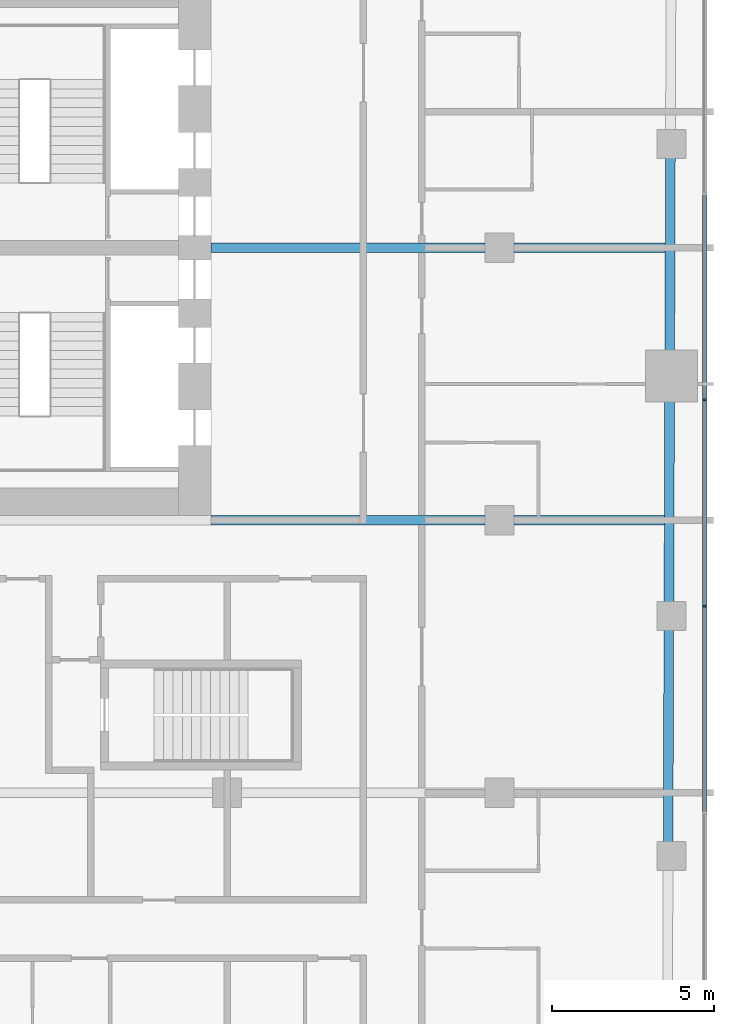
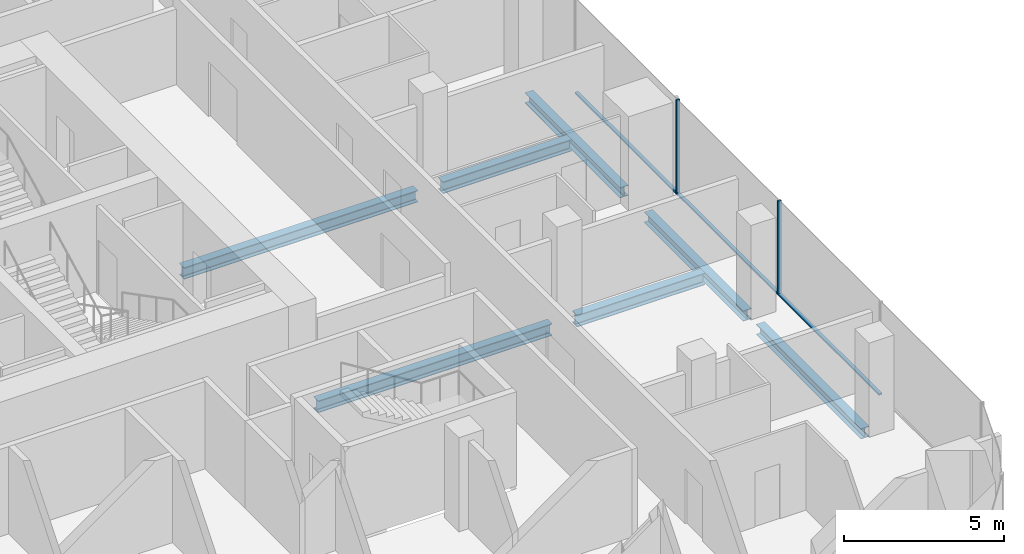
# One storey, part 7 of 23: 7 beams, 5 members, 1 element without a shape of its own.
"""IFC4 building model written with IfcOpenShell, lengths in metres."""

from ifc_helpers import new_model, si_unit, direction, frame, origin, origin_2d, place, context, subcontext, project, spatial, rectangle, i_section, extrude, material, layer, layer_set, material_profile, profile_set, type_object, element, aggregate, save


model = new_model("IFC4")

# Units and contexts
model_context = context("Model", 3, precision=1e-05, world=origin(), true_north=direction((0.0, 1.0)))
body_context = subcontext(model_context, "Body", "Model", "MODEL_VIEW")
ifc_project = project(units=[si_unit("LENGTHUNIT", "METRE"), si_unit("AREAUNIT", "SQUARE_METRE"), si_unit("VOLUMEUNIT", "CUBIC_METRE"), si_unit("PLANEANGLEUNIT", "RADIAN"), si_unit("MASSUNIT", "GRAM", prefix="KILO")], contexts=[model_context])

# Site, building, storey
site_placement = place(None, origin())
site = spatial("IfcSite", under=ifc_project, at=site_placement, CompositionType="ELEMENT")
building_placement = place(site_placement, origin())
building = spatial("IfcBuilding", under=site, at=building_placement, Name="Marenta Gate Hotel Tower", CompositionType="ELEMENT")
storey_placement = place(building_placement, frame((0.0, 0.0, 162.5)))
storey = spatial("IfcBuildingStorey", under=building, at=storey_placement, Name="L38", CompositionType="ELEMENT", Elevation=162.5)

# Beams
ifc_material_1 = material(Name="Steel S355", Category="steel")
ifc_material_profile_1 = material_profile(ifc_material_1, i_section(OverallWidth=0.300048828125, OverallDepth=0.39990234375, WebThickness=0.013427734375, FlangeThickness=0.02392578125, FilletRadius=0.027099609375, at=origin_2d()), Name="HEB 400")
ifc_profile_set_1 = profile_set([ifc_material_profile_1], Name="Steel S355")
beam_type_1 = type_object("IfcBeamType", Name="Edge beam HEB 400", PredefinedType="SPANDREL", material=ifc_profile_set_1)
beam_1_placement = place(storey_placement, frame((26.26416015625, 11.193115234375, -0.4599609375), z_axis=(-0.003305160059, -0.999994537944, 0.0), x_axis=(0.999994537944, -0.003305160059, 0.0)))
element("IfcBeam", 1, at=beam_1_placement, inside=storey, type_object=beam_type_1, Name="L38-EB-24", PredefinedType="SPANDREL", context=body_context, shape_type="SweptSolid", body=[
    extrude(i_section(OverallWidth=0.300048828125, OverallDepth=0.39990234375, WebThickness=0.013427734375, FlangeThickness=0.02392578125, FilletRadius=0.027099609375, at=origin_2d()), origin(), (0.0, 0.0, 1.0), 5.983154296875),
])
beam_2_placement = place(storey_placement, frame((26.2392578125, 3.68994140625, -0.4599609375), z_axis=(-0.003330441525, -0.999994454064, 0.0), x_axis=(0.999994454064, -0.003330441525, 0.0)))
element("IfcBeam", 2, at=beam_2_placement, inside=storey, type_object=beam_type_1, Name="L38-EB-25", PredefinedType="SPANDREL", context=body_context, shape_type="SweptSolid", body=[
    extrude(i_section(OverallWidth=0.300048828125, OverallDepth=0.39990234375, WebThickness=0.013427734375, FlangeThickness=0.02392578125, FilletRadius=0.027099609375, at=origin_2d()), origin(), (0.0, 0.0, 1.0), 6.23095703125),
])
beam_3_placement = place(storey_placement, frame((26.2158203125, -3.36083984375, -0.4599609375), z_axis=(-0.00333875569, -0.99999442634, 0.0), x_axis=(0.99999442634, -0.00333875569, 0.0)))
element("IfcBeam", 3, at=beam_3_placement, inside=storey, type_object=beam_type_1, Name="L38-EB-26", PredefinedType="SPANDREL", context=body_context, shape_type="SweptSolid", body=[
    extrude(i_section(OverallWidth=0.300048828125, OverallDepth=0.39990234375, WebThickness=0.013427734375, FlangeThickness=0.02392578125, FilletRadius=0.027099609375, at=origin_2d()), origin(), (0.0, 0.0, 1.0), 6.5810546875),
])
ifc_material_2 = material(Name="Steel S355", Category="steel")
ifc_material_profile_2 = material_profile(ifc_material_2, i_section(OverallWidth=0.300048828125, OverallDepth=0.449951171875, WebThickness=0.013916015625, FlangeThickness=0.02587890625, FilletRadius=0.027099609375, at=origin_2d()), Name="HEB 450")
ifc_profile_set_2 = profile_set([ifc_material_profile_2], Name="Steel S355")
beam_type_2 = type_object("IfcBeamType", Name="Girder HEB 450", PredefinedType="BEAM", material=ifc_profile_set_2)
beam_4_placement = place(storey_placement, frame((12.10009765625, 0.0, -0.485107421875), z_axis=(1.0, 0.0, 0.0), x_axis=(0.0, 1.0, 0.0)))
element("IfcBeam", 4, at=beam_4_placement, inside=storey, type_object=beam_type_2, Name="L38-GD-18", PredefinedType="BEAM", context=body_context, shape_type="SweptSolid", body=[
    extrude(i_section(OverallWidth=0.300048828125, OverallDepth=0.449951171875, WebThickness=0.013916015625, FlangeThickness=0.02587890625, FilletRadius=0.027099609375, at=origin_2d()), origin(), (0.0, 0.0, 1.0), 8.449951171875),
])
beam_5_placement = place(storey_placement, frame((21.449951171875, 0.0, -0.485107421875), z_axis=(1.0, 0.0, 0.0), x_axis=(0.0, 1.0, 0.0)))
element("IfcBeam", 5, at=beam_5_placement, inside=storey, type_object=beam_type_2, Name="L38-GD-19", PredefinedType="BEAM", context=body_context, shape_type="SweptSolid", body=[
    extrude(i_section(OverallWidth=0.300048828125, OverallDepth=0.449951171875, WebThickness=0.013916015625, FlangeThickness=0.02587890625, FilletRadius=0.027099609375, at=origin_2d()), origin(), (0.0, 0.0, 1.0), 4.626953125),
])
beam_6_placement = place(storey_placement, frame((12.10009765625, 8.39990234375, -0.485107421875), z_axis=(1.0, 0.0, 0.0), x_axis=(0.0, 1.0, 0.0)))
element("IfcBeam", 6, at=beam_6_placement, inside=storey, type_object=beam_type_2, Name="L38-GD-22", PredefinedType="BEAM", context=body_context, shape_type="SweptSolid", body=[
    extrude(i_section(OverallWidth=0.300048828125, OverallDepth=0.449951171875, WebThickness=0.013916015625, FlangeThickness=0.02587890625, FilletRadius=0.027099609375, at=origin_2d()), origin(), (0.0, 0.0, 1.0), 8.449951171875),
])
beam_7_placement = place(storey_placement, frame((21.449951171875, 8.39990234375, -0.485107421875), z_axis=(1.0, 0.0, 0.0), x_axis=(0.0, 1.0, 0.0)))
element("IfcBeam", 7, at=beam_7_placement, inside=storey, type_object=beam_type_2, Name="L38-GD-23", PredefinedType="BEAM", context=body_context, shape_type="SweptSolid", body=[
    extrude(i_section(OverallWidth=0.300048828125, OverallDepth=0.449951171875, WebThickness=0.013916015625, FlangeThickness=0.02587890625, FilletRadius=0.027099609375, at=origin_2d()), origin(), (0.0, 0.0, 1.0), 4.655029296875),
])

# Curtain wall, members
ifc_material_3 = material(Name="Tinted insulated glass in bronze anodised frame", Category="glass")
ifc_layer = layer(ifc_material_3, 0.1201171875)
ifc_layer_set = layer_set([ifc_layer], Name="Tinted insulated glass in bronze anodised frame")
curtain_wall_type = type_object("IfcCurtainWallType", Name="Tower unitised curtain wall CW1", PredefinedType="NOTDEFINED", material=ifc_layer_set)
curtain_wall_placement = place(storey_placement, origin())
curtain_wall = element("IfcCurtainWall", 8, at=curtain_wall_placement, inside=storey, type_object=curtain_wall_type, Name="CW1 run G11", PredefinedType="NOTDEFINED")
ifc_material_4 = material(Name="Bronze anodised aluminium", Category="aluminium")
ifc_material_profile_3 = material_profile(ifc_material_4, rectangle(XDim=0.1201171875, YDim=0.06005859375, at=origin_2d()), Name="Mullion CW1 60x120 bronze anodised aluminium")
ifc_profile_set_3 = profile_set([ifc_material_profile_3], Name="Bronze anodised aluminium")
member_type_1 = type_object("IfcMemberType", Name="Mullion CW1 60x120 bronze anodised aluminium", PredefinedType="MULLION", material=ifc_profile_set_3)
member_1_placement = place(storey_placement, frame((27.31396484375, -2.64794921875, 0.0), z_axis=(0.0, 0.0, 1.0), x_axis=(-1.0, 0.0, 0.0)))
member_1 = element("IfcMember", 9, at=member_1_placement, type_object=member_type_1, Name="CW1 mullion 3", PredefinedType="MULLION", context=body_context, shape_type="SweptSolid", body=[
    extrude(rectangle(XDim=0.1201171875, YDim=0.06005859375, at=origin_2d()), origin(), (0.0, 0.0, 1.0), 3.60009765625),
])
member_2_placement = place(storey_placement, frame((27.31396484375, 3.7119140625, 0.0), z_axis=(0.0, 0.0, 1.0), x_axis=(-1.0, 0.0, 0.0)))
member_2 = element("IfcMember", 10, at=member_2_placement, type_object=member_type_1, Name="CW1 mullion 4", PredefinedType="MULLION", context=body_context, shape_type="SweptSolid", body=[
    extrude(rectangle(XDim=0.1201171875, YDim=0.06005859375, at=origin_2d()), origin(), (0.0, 0.0, 1.0), 3.60009765625),
])
ifc_material_5 = material(Name="Bronze anodised aluminium", Category="aluminium")
ifc_material_profile_4 = material_profile(ifc_material_5, rectangle(XDim=0.1201171875, YDim=0.06005859375, at=origin_2d()), Name="Transom CW1 60x120 bronze anodised aluminium")
ifc_profile_set_4 = profile_set([ifc_material_profile_4], Name="Bronze anodised aluminium")
member_type_2 = type_object("IfcMemberType", Name="Transom CW1 60x120 bronze anodised aluminium", PredefinedType="USERDEFINED", material=ifc_profile_set_4)
member_3_placement = place(storey_placement, frame((27.31396484375, -8.97802734375, 0.030029296875), z_axis=(0.0, 1.0, 0.0), x_axis=(-1.0, 0.0, 0.0)))
member_3 = element("IfcMember", 11, at=member_3_placement, type_object=member_type_2, Name="CW1 transom 2.1", ObjectType="TRANSOM", PredefinedType="USERDEFINED", context=body_context, shape_type="SweptSolid", body=[
    extrude(rectangle(XDim=0.1201171875, YDim=0.06005859375, at=origin_2d()), origin(), (0.0, 0.0, 1.0), 6.300048828125),
])
member_4_placement = place(storey_placement, frame((27.31396484375, -2.617919921875, 0.030029296875), z_axis=(0.0, 1.0, 0.0), x_axis=(-1.0, 0.0, 0.0)))
member_4 = element("IfcMember", 12, at=member_4_placement, type_object=member_type_2, Name="CW1 transom 3.1", ObjectType="TRANSOM", PredefinedType="USERDEFINED", context=body_context, shape_type="SweptSolid", body=[
    extrude(rectangle(XDim=0.1201171875, YDim=0.06005859375, at=origin_2d()), origin(), (0.0, 0.0, 1.0), 6.2998046875),
])
member_5_placement = place(storey_placement, frame((27.31396484375, 3.741943359375, 0.030029296875), z_axis=(0.0, 1.0, 0.0), x_axis=(-1.0, 0.0, 0.0)))
member_5 = element("IfcMember", 13, at=member_5_placement, type_object=member_type_2, Name="CW1 transom 4.1", ObjectType="TRANSOM", PredefinedType="USERDEFINED", context=body_context, shape_type="SweptSolid", body=[
    extrude(rectangle(XDim=0.1201171875, YDim=0.06005859375, at=origin_2d()), origin(), (0.0, 0.0, 1.0), 6.300048828125),
])
aggregate(curtain_wall, [member_1, member_2, member_3, member_4, member_5])

save(model, "model.ifc")
